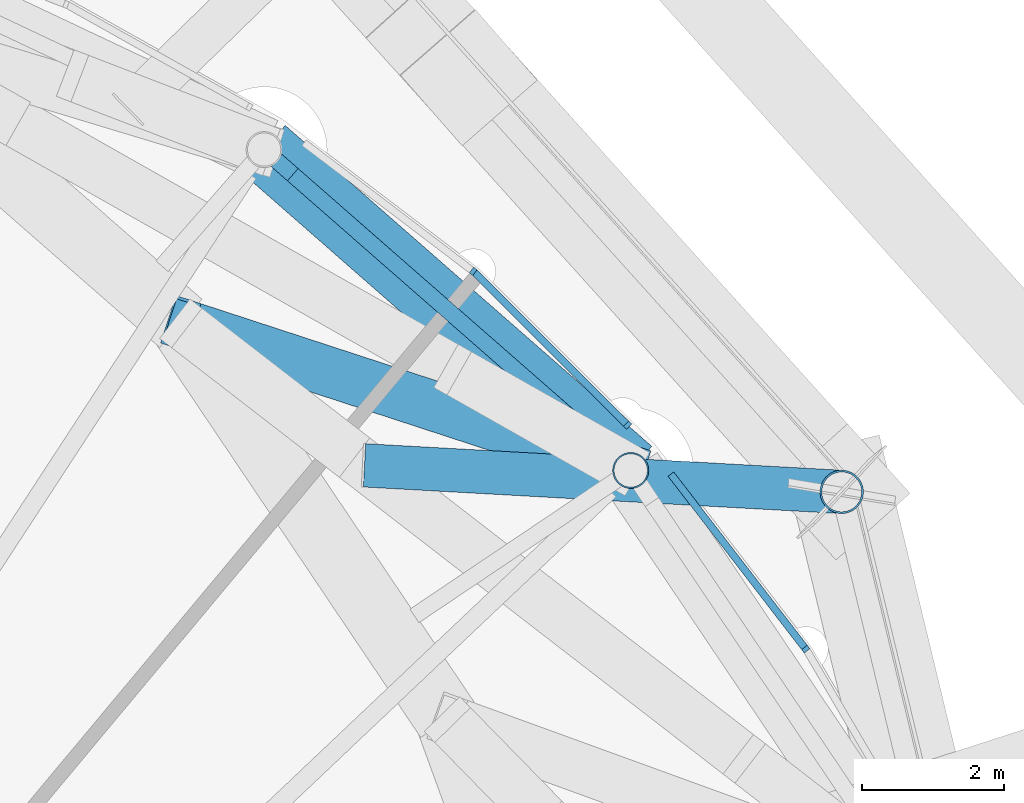
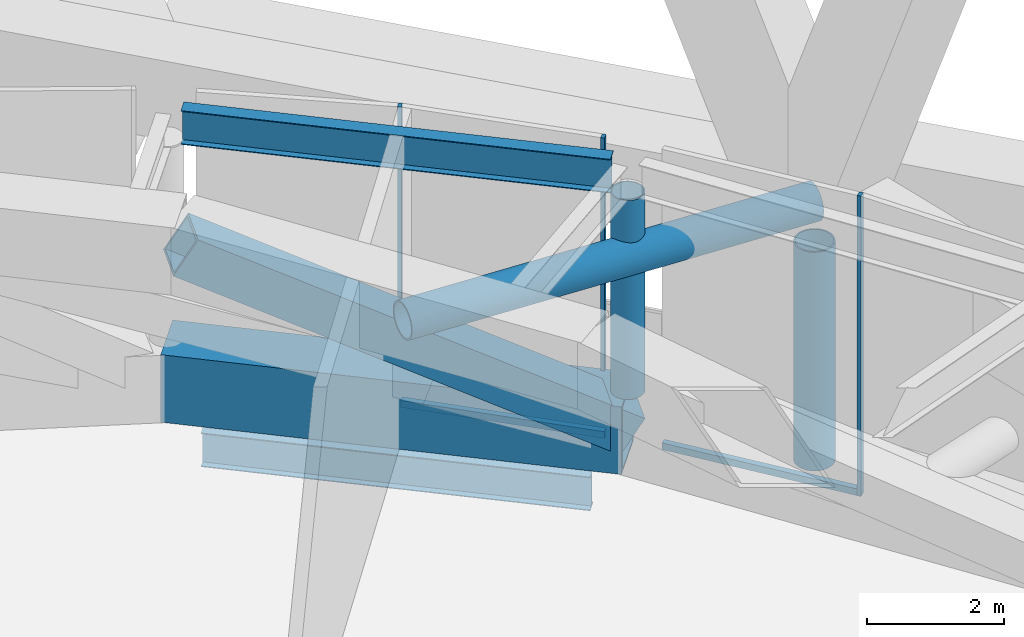
# One storey, part 44 of 60: 8 members, 4 beams, 3 elements without a shape of their own.
"""IFC4 building model written with IfcOpenShell, lengths in metres."""

from ifc_helpers import new_model, si_unit, direction, frame, origin, origin_2d, place, context, subcontext, project, spatial, rectangle, hollow_rectangle, hollow_circle, i_section, extrude, material, layer, layer_set, material_profile, profile_set, type_object, element, aggregate, save


model = new_model("IFC4")

# Units and contexts
model_context = context("Model", 3, precision=1e-05, world=origin(), true_north=direction((0.0, 1.0)))
body_context = subcontext(model_context, "Body", "Model", "MODEL_VIEW")
ifc_project = project(units=[si_unit("LENGTHUNIT", "METRE"), si_unit("AREAUNIT", "SQUARE_METRE"), si_unit("VOLUMEUNIT", "CUBIC_METRE"), si_unit("PLANEANGLEUNIT", "RADIAN"), si_unit("MASSUNIT", "GRAM", prefix="KILO")], contexts=[model_context])

# Site, building, storey
site_placement = place(None, origin())
site = spatial("IfcSite", under=ifc_project, at=site_placement, CompositionType="ELEMENT")
building_placement = place(site_placement, origin())
building = spatial("IfcBuilding", under=site, at=building_placement, Name="Nagisa Residences", CompositionType="ELEMENT")
storey_placement = place(building_placement, frame((0.0, 0.0, 206.60009765625)))
storey = spatial("IfcBuildingStorey", under=building, at=storey_placement, Name="L52", CompositionType="ELEMENT", Elevation=206.60009765625)

# Beams
ifc_material_1 = material(Name="Steel ASTM A572 Gr 50", Category="steel")
ifc_material_profile_1 = material_profile(ifc_material_1, hollow_rectangle(XDim=0.89990234375, YDim=1.199951171875, WallThickness=0.044921875, at=origin_2d()), Name="BX 900x1200x45")
ifc_profile_set_1 = profile_set([ifc_material_profile_1], Name="Steel ASTM A572 Gr 50")
beam_type_1 = type_object("IfcBeamType", Name="Belt chord 4 BX 900x1200x45", PredefinedType="BEAM", material=ifc_profile_set_1)
beam_1_placement = place(storey_placement, frame((21.189208984375, 20.064208984375, 0.599853515625), z_axis=(-0.752459604725, 0.658638400989, 0.0), x_axis=(-0.658638400989, -0.752459604725, 0.0)))
element("IfcBeam", 1, at=beam_1_placement, inside=storey, type_object=beam_type_1, Name="beam:L52:bt4b04", PredefinedType="BEAM", context=body_context, shape_type="SweptSolid", body=[
    extrude(hollow_rectangle(XDim=0.89990234375, YDim=1.199951171875, WallThickness=0.044921875, at=origin_2d()), origin(), (0.0, 0.0, 1.0), 6.846435546875),
])
ifc_material_2 = material(Name="Steel ASTM A572 Gr 50", Category="steel")
ifc_material_profile_2 = material_profile(ifc_material_2, hollow_rectangle(XDim=0.699951171875, YDim=0.699951171875, WallThickness=0.0400390625, at=origin_2d()), Name="BX 700x700x40")
ifc_profile_set_2 = profile_set([ifc_material_profile_2], Name="Steel ASTM A572 Gr 50")
beam_type_2 = type_object("IfcBeamType", Name="Belt diagonal 4 BX 700x700x40", PredefinedType="BEAM", material=ifc_profile_set_2)
beam_2_placement = place(storey_placement, frame((21.189208984375, 20.064208984375, 0.599853515625), z_axis=(-0.806950218821, 0.263883751764, 0.528390679233), x_axis=(-0.310816646131, -0.950469890364, 0.0)))
element("IfcBeam", 2, at=beam_2_placement, inside=storey, type_object=beam_type_2, Name="beam:L52:bt4da04", PredefinedType="BEAM", context=body_context, shape_type="SweptSolid", body=[
    extrude(hollow_rectangle(XDim=0.699951171875, YDim=0.699951171875, WallThickness=0.0400390625, at=origin_2d()), origin(), (0.0, 0.0, 1.0), 7.83544921875),
])

# Curtain wall, member
ifc_material_3 = material(Name="Aluminium curtain wall system", Category="aluminium")
ifc_layer = layer(ifc_material_3, 0.159912109375)
ifc_layer_set = layer_set([ifc_layer], Name="CW5 CURTAIN WALL")
curtain_wall_type = type_object("IfcCurtainWallType", Name="CW5 CURTAIN WALL", PredefinedType="NOTDEFINED", material=ifc_layer_set)
curtain_wall_1_placement = place(storey_placement, origin())
curtain_wall_1 = element("IfcCurtainWall", 3, at=curtain_wall_1_placement, inside=storey, type_object=curtain_wall_type, Name="cw:CW5:L52:05", PredefinedType="NOTDEFINED")
ifc_material_4 = material(Name="Aluminium", Category="aluminium")
ifc_material_profile_3 = material_profile(ifc_material_4, rectangle(XDim=0.10009765625, YDim=0.06005859375, at=origin_2d()), Name="CW5 MULLION 100x60")
ifc_profile_set_3 = profile_set([ifc_material_profile_3], Name="Aluminium")
member_type_1 = type_object("IfcMemberType", Name="CW5 MULLION 100x60", PredefinedType="MULLION", material=ifc_profile_set_3)
member_1_placement = place(storey_placement, frame((23.649658203125, 17.552978515625, 0.0), z_axis=(0.0, 0.0, 1.0), x_axis=(-0.792070340816, -0.610429828235, 0.0)))
member_1 = element("IfcMember", 4, at=member_1_placement, type_object=member_type_1, Name="CW5 mullion", PredefinedType="MULLION", context=body_context, shape_type="SweptSolid", body=[
    extrude(rectangle(XDim=0.10009765625, YDim=0.06005859375, at=origin_2d()), origin(), (0.0, 0.0, 1.0), 5.33984375),
])

curtain_wall_2_placement = place(storey_placement, origin())
curtain_wall_2 = element("IfcCurtainWall", 5, at=curtain_wall_2_placement, inside=storey, type_object=curtain_wall_type, Name="cw:CW5:L52:06", PredefinedType="NOTDEFINED")
member_2_placement = place(storey_placement, frame((21.146484375, 20.7001953125, 0.0), z_axis=(0.0, 0.0, 1.0), x_axis=(-0.706376885714, -0.707835924016, 0.0)))
member_2 = element("IfcMember", 6, at=member_2_placement, type_object=member_type_1, Name="CW5 mullion", PredefinedType="MULLION", context=body_context, shape_type="SweptSolid", body=[
    extrude(rectangle(XDim=0.10009765625, YDim=0.06005859375, at=origin_2d()), origin(), (0.0, 0.0, 1.0), 5.33984375),
])

curtain_wall_3_placement = place(storey_placement, origin())
curtain_wall_3 = element("IfcCurtainWall", 7, at=curtain_wall_3_placement, inside=storey, type_object=curtain_wall_type, Name="cw:CW5:L52:07", PredefinedType="NOTDEFINED")
member_3_placement = place(storey_placement, frame((18.97509765625, 22.862548828125, 0.0), z_axis=(0.0, 0.0, 1.0), x_axis=(-0.605255421737, -0.79603132756, 0.0)))
member_3 = element("IfcMember", 8, at=member_3_placement, type_object=member_type_1, Name="CW5 mullion", PredefinedType="MULLION", context=body_context, shape_type="SweptSolid", body=[
    extrude(rectangle(XDim=0.10009765625, YDim=0.06005859375, at=origin_2d()), origin(), (0.0, 0.0, 1.0), 5.33984375),
])
aggregate(curtain_wall_3, [member_3])

# Member
ifc_material_5 = material(Name="Aluminium", Category="aluminium")
ifc_material_profile_4 = material_profile(ifc_material_5, rectangle(XDim=0.10009765625, YDim=0.1201171875, at=origin_2d()), Name="CW5 TRANSOM 100x120")
ifc_profile_set_4 = profile_set([ifc_material_profile_4], Name="Aluminium")
member_type_2 = type_object("IfcMemberType", Name="CW5 TRANSOM 100x120", PredefinedType="USERDEFINED", material=ifc_profile_set_4)
member_4_placement = place(storey_placement, frame((23.66796875, 17.529052734375, 0.059814453125), z_axis=(-0.610414235322, 0.79208235766, 0.0), x_axis=(-0.79208235766, -0.610414235322, 0.0)))
member_4 = element("IfcMember", 9, at=member_4_placement, type_object=member_type_2, Name="CW5 transom", ObjectType="TRANSOM", PredefinedType="USERDEFINED", context=body_context, shape_type="SweptSolid", body=[
    extrude(rectangle(XDim=0.10009765625, YDim=0.1201171875, at=origin_2d()), origin(), (0.0, 0.0, 1.0), 3.13525390625),
])

aggregate(curtain_wall_1, [member_1, member_4])

member_5_placement = place(storey_placement, frame((21.167724609375, 20.678955078125, 0.059814453125), z_axis=(-0.707820829563, 0.706392011022, 0.0), x_axis=(-0.706392011022, -0.707820829563, 0.0)))
member_5 = element("IfcMember", 10, at=member_5_placement, type_object=member_type_2, Name="CW5 transom", ObjectType="TRANSOM", PredefinedType="USERDEFINED", context=body_context, shape_type="SweptSolid", body=[
    extrude(rectangle(XDim=0.10009765625, YDim=0.1201171875, at=origin_2d()), origin(), (0.0, 0.0, 1.0), 3.07568359375),
])

aggregate(curtain_wall_2, [member_2, member_5])

# Members
ifc_material_6 = material(Name="Steel ASTM A572 Gr 65", Category="steel")
ifc_material_profile_5 = material_profile(ifc_material_6, hollow_circle(Radius=0.304931640625, WallThickness=0.02490234375, at=origin_2d()), Name="CHS 610x25")
ifc_profile_set_5 = profile_set([ifc_material_profile_5], Name="Steel ASTM A572 Gr 65")
member_type_3 = type_object("IfcMemberType", Name="Cage strut CHS 610x25", PredefinedType="STRUT", material=ifc_profile_set_5)
member_6_placement = place(storey_placement, frame((24.15478515625, 19.7626953125, 3.699951171875), z_axis=(-0.998452627073, 0.055608915563, 0.0), x_axis=(-0.055608915563, -0.998452627073, 0.0)))
element("IfcMember", 11, at=member_6_placement, inside=storey, type_object=member_type_3, Name="mem:L52:bt4st5b02", PredefinedType="STRUT", context=body_context, shape_type="SweptSolid", body=[
    extrude(hollow_circle(Radius=0.304931640625, WallThickness=0.02490234375, at=origin_2d()), origin(), (0.0, 0.0, 1.0), 6.71728515625),
])
ifc_material_7 = material(Name="Steel ASTM A572 Gr 65", Category="steel")
ifc_material_profile_6 = material_profile(ifc_material_7, hollow_circle(Radius=0.304931640625, WallThickness=0.02490234375, at=origin_2d()), Name="CHS 610x25")
ifc_profile_set_6 = profile_set([ifc_material_profile_6], Name="Steel ASTM A572 Gr 65")
member_type_4 = type_object("IfcMemberType", Name="Deck hanger CHS 610x25", PredefinedType="POST", material=ifc_profile_set_6)
member_7_placement = place(storey_placement, frame((24.15478515625, 19.7626953125, 3.0), z_axis=(0.0, 0.0, -1.0), x_axis=(1.0, 0.0, 0.0)))
element("IfcMember", 12, at=member_7_placement, inside=storey, type_object=member_type_4, Name="mem:L52:deckhanger01", PredefinedType="POST", context=body_context, shape_type="SweptSolid", body=[
    extrude(hollow_circle(Radius=0.304931640625, WallThickness=0.02490234375, at=origin_2d()), origin(), (0.0, 0.0, 1.0), 3.89013671875),
])

# Beam
ifc_material_8 = material(Name="Steel ASTM A572 Gr 50", Category="steel")
ifc_material_profile_7 = material_profile(ifc_material_8, i_section(OverallWidth=0.22802734375, OverallDepth=0.60302734375, WebThickness=0.010498046875, FlangeThickness=0.014892578125, at=origin_2d()), Name="W610x101")
ifc_profile_set_7 = profile_set([ifc_material_profile_7], Name="Steel ASTM A572 Gr 50")
beam_type_3 = type_object("IfcBeamType", Name="Garden edge beam W610x101", PredefinedType="BEAM", material=ifc_profile_set_7)
beam_3_placement = place(storey_placement, frame((21.01318359375, 20.21826171875, 5.038330078125), z_axis=(-0.752455758905, 0.65864279461, 0.0), x_axis=(-0.65864279461, -0.752455758905, 0.0)))
element("IfcBeam", 13, at=beam_3_placement, inside=storey, type_object=beam_type_3, Name="beam:L52:bt4ge04", PredefinedType="BEAM", context=body_context, shape_type="SweptSolid", body=[
    extrude(i_section(OverallWidth=0.22802734375, OverallDepth=0.60302734375, WebThickness=0.010498046875, FlangeThickness=0.014892578125, at=origin_2d()), origin(), (0.0, 0.0, 1.0), 6.37841796875),
])

# Member
ifc_material_9 = material(Name="Steel ASTM A572 Gr 65", Category="steel")
ifc_material_profile_8 = material_profile(ifc_material_9, hollow_circle(Radius=0.25390625, WallThickness=0.02001953125, at=origin_2d()), Name="CHS 508x20")
ifc_profile_set_8 = profile_set([ifc_material_profile_8], Name="Steel ASTM A572 Gr 65")
member_type_5 = type_object("IfcMemberType", Name="Garden edge post CHS 508x20", PredefinedType="POST", material=ifc_profile_set_8)
member_8_placement = place(storey_placement, frame((21.189208984375, 20.064208984375, 1.199951171875), z_axis=(0.0, 0.0, 1.0), x_axis=(1.0, 0.0, 0.0)))
element("IfcMember", 14, at=member_8_placement, inside=storey, type_object=member_type_5, Name="mem:L52:gp404", PredefinedType="POST", context=body_context, shape_type="SweptSolid", body=[
    extrude(hollow_circle(Radius=0.25390625, WallThickness=0.02001953125, at=origin_2d()), origin(), (0.0, 0.0, 1.0), 3.536865234375),
])

# Beam
ifc_material_10 = material(Name="Steel ASTM A572 Gr 50", Category="steel")
ifc_material_profile_9 = material_profile(ifc_material_10, i_section(OverallWidth=0.22802734375, OverallDepth=0.60302734375, WebThickness=0.010498046875, FlangeThickness=0.014892578125, at=origin_2d()), Name="W610x101")
ifc_profile_set_9 = profile_set([ifc_material_profile_9], Name="Steel ASTM A572 Gr 50")
beam_type_4 = type_object("IfcBeamType", Name="Perimeter ring beam W610x101", PredefinedType="BEAM", material=ifc_profile_set_9)
beam_4_placement = place(storey_placement, frame((20.786865234375, 20.416259765625, -0.651611328125), z_axis=(-0.752461486776, 0.658636250838, 0.0), x_axis=(-0.658636250838, -0.752461486776, 0.0)))
element("IfcBeam", 15, at=beam_4_placement, inside=storey, type_object=beam_type_4, Name="beam:L52:pb04", PredefinedType="BEAM", context=body_context, shape_type="SweptSolid", body=[
    extrude(i_section(OverallWidth=0.22802734375, OverallDepth=0.60302734375, WebThickness=0.010498046875, FlangeThickness=0.014892578125, at=origin_2d()), origin(), (0.0, 0.0, 1.0), 5.776611328125),
])

save(model, "model.ifc")
